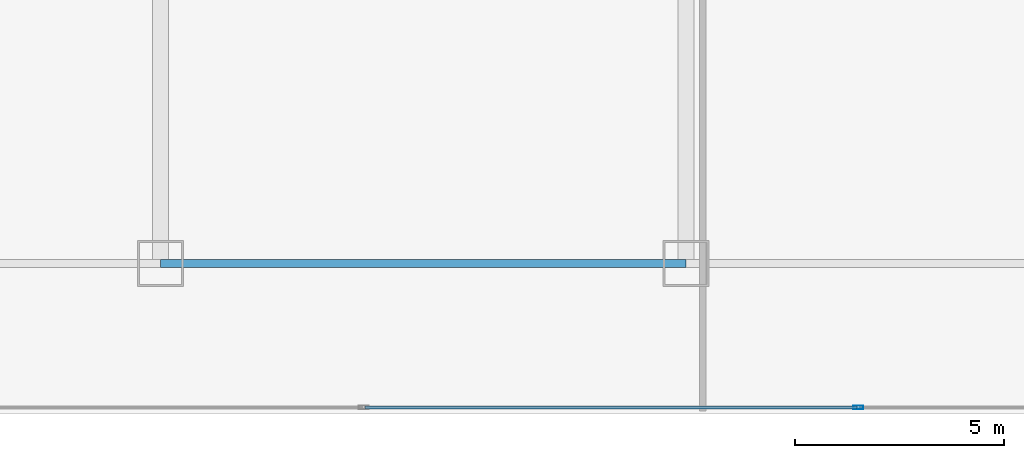
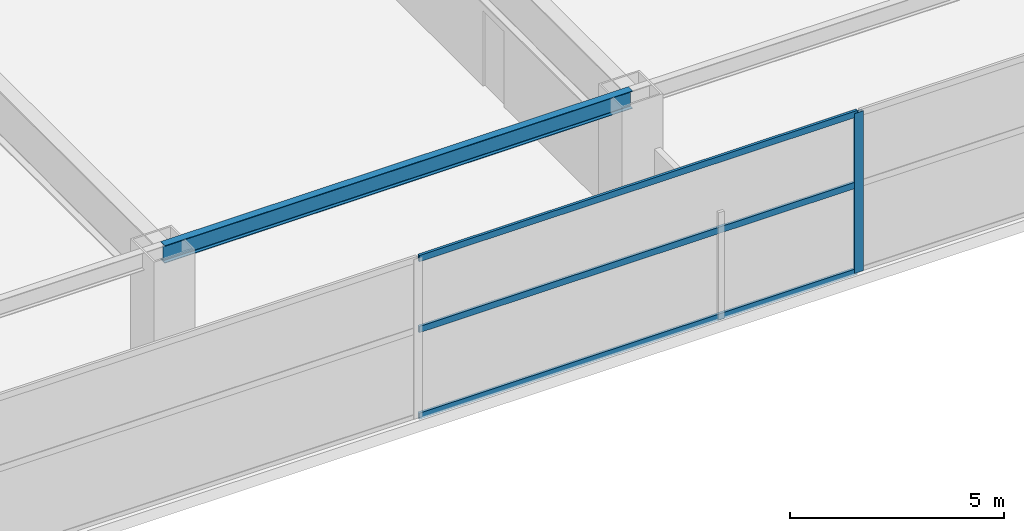
# One storey, part 12 of 30: 4 members, 1 beam, 1 element without a shape of its own.
"""IFC4 building model written with IfcOpenShell, lengths in metres."""

from ifc_helpers import new_model, si_unit, direction, frame, origin, origin_2d, place, context, subcontext, project, spatial, hollow_rectangle, i_section, extrude, material, layer, layer_set, material_profile, profile_set, type_object, element, aggregate, save


model = new_model("IFC4")

# Units and contexts
model_context = context("Model", 3, precision=1e-05, world=origin(), true_north=direction((0.0, 1.0)))
body_context = subcontext(model_context, "Body", "Model", "MODEL_VIEW")
ifc_project = project(units=[si_unit("LENGTHUNIT", "METRE"), si_unit("AREAUNIT", "SQUARE_METRE"), si_unit("VOLUMEUNIT", "CUBIC_METRE"), si_unit("PLANEANGLEUNIT", "RADIAN"), si_unit("MASSUNIT", "GRAM", prefix="KILO")], contexts=[model_context])

# Site, building, storey
site_placement = place(None, origin())
site = spatial("IfcSite", under=ifc_project, at=site_placement, CompositionType="ELEMENT")
building_placement = place(site_placement, origin())
building = spatial("IfcBuilding", under=site, at=building_placement, Name="Calvorn Quay Hotel", CompositionType="ELEMENT")
storey_placement = place(building_placement, frame((0.0, 0.0, 17.0)))
storey = spatial("IfcBuildingStorey", under=building, at=storey_placement, Name="L03", CompositionType="ELEMENT", Elevation=17.0)

# Beam
ifc_material_1 = material(Name="Steel Q355B", Category="steel")
ifc_material_profile_1 = material_profile(ifc_material_1, i_section(OverallWidth=0.199951171875, OverallDepth=0.5, WebThickness=0.010009765625, FlangeThickness=0.01611328125, FilletRadius=0.01611328125, at=origin_2d()), Name="HN500x200x10x16")
ifc_profile_set_1 = profile_set([ifc_material_profile_1], Name="Steel Q355B")
beam_type = type_object("IfcBeamType", Name="BM-SPANDREL-Z1", PredefinedType="SPANDREL", material=ifc_profile_set_1)
beam_placement = place(storey_placement, frame((45.0, 3.60009765625, 4.300048828125), z_axis=(1.0, 0.0, 0.0), x_axis=(0.0, 1.0, 0.0)))
element("IfcBeam", 1, at=beam_placement, inside=storey, type_object=beam_type, Name="Beam BSP-L03-S5", PredefinedType="SPANDREL", context=body_context, shape_type="SweptSolid", body=[
    extrude(i_section(OverallWidth=0.199951171875, OverallDepth=0.5, WebThickness=0.010009765625, FlangeThickness=0.01611328125, FilletRadius=0.01611328125, at=origin_2d()), origin(), (0.0, 0.0, 1.0), 12.60009765625),
])

# Curtain wall, members
ifc_material_2 = material(Name="Pale Anodised Aluminium and Low-E Glass", Category="aluminium")
ifc_layer = layer(ifc_material_2, 0.219970703125)
ifc_layer_set = layer_set([ifc_layer], Name="CW-SYS-POD")
curtain_wall_type = type_object("IfcCurtainWallType", Name="CW-SYS-POD", PredefinedType="NOTDEFINED", material=ifc_layer_set)
curtain_wall_placement = place(storey_placement, origin())
curtain_wall = element("IfcCurtainWall", 2, at=curtain_wall_placement, inside=storey, type_object=curtain_wall_type, Name="Podium Curtain Wall L03-S1", PredefinedType="NOTDEFINED")
ifc_material_3 = material(Name="Pale Anodised Aluminium 6063-T6", Category="aluminium")
ifc_material_profile_2 = material_profile(ifc_material_3, hollow_rectangle(XDim=0.080078125, YDim=0.239990234375, WallThickness=0.0048828125, at=origin_2d()), Name="ALU-M240x80x5")
ifc_profile_set_2 = profile_set([ifc_material_profile_2], Name="Pale Anodised Aluminium 6063-T6")
member_type_1 = type_object("IfcMemberType", Name="CW-SYS-POD-MUL", PredefinedType="MULLION", material=ifc_profile_set_2)
member_1_placement = place(storey_placement, frame((61.7333984375, 0.14990234375, 0.0), z_axis=(0.0, 0.0, 1.0), x_axis=(0.0, 1.0, 0.0)))
member_1 = element("IfcMember", 3, at=member_1_placement, type_object=member_type_1, Name="CW-L03-S1 mullion 6", PredefinedType="MULLION", context=body_context, shape_type="SweptSolid", body=[
    extrude(hollow_rectangle(XDim=0.080078125, YDim=0.239990234375, WallThickness=0.0048828125, at=origin_2d()), origin(), (0.0, 0.0, 1.0), 4.550048828125),
])
ifc_material_4 = material(Name="Pale Anodised Aluminium 6063-T6", Category="aluminium")
ifc_material_profile_3 = material_profile(ifc_material_4, hollow_rectangle(XDim=0.070068359375, YDim=0.179931640625, WallThickness=0.00390625, at=origin_2d()), Name="ALU-T180x70x4")
ifc_profile_set_3 = profile_set([ifc_material_profile_3], Name="Pale Anodised Aluminium 6063-T6")
member_type_2 = type_object("IfcMemberType", Name="CW-SYS-POD-TRN", PredefinedType="USERDEFINED", material=ifc_profile_set_3)
member_2_placement = place(storey_placement, frame((49.896728515625, 0.14990234375, 0.030029296875), z_axis=(1.0, 0.0, 0.0), x_axis=(0.0, 1.0, 0.0)))
member_2 = element("IfcMember", 4, at=member_2_placement, type_object=member_type_2, Name="CW-L03-S1 transom 5.1", ObjectType="TRANSOM", PredefinedType="USERDEFINED", context=body_context, shape_type="SweptSolid", body=[
    extrude(hollow_rectangle(XDim=0.070068359375, YDim=0.179931640625, WallThickness=0.00390625, at=origin_2d()), origin(), (0.0, 0.0, 1.0), 11.806640625),
])
member_3_placement = place(storey_placement, frame((49.896728515625, 0.14990234375, 2.5), z_axis=(1.0, 0.0, 0.0), x_axis=(0.0, 1.0, 0.0)))
member_3 = element("IfcMember", 5, at=member_3_placement, type_object=member_type_2, Name="CW-L03-S1 transom 5.2", ObjectType="TRANSOM", PredefinedType="USERDEFINED", context=body_context, shape_type="SweptSolid", body=[
    extrude(hollow_rectangle(XDim=0.070068359375, YDim=0.179931640625, WallThickness=0.00390625, at=origin_2d()), origin(), (0.0, 0.0, 1.0), 11.806640625),
])
member_4_placement = place(storey_placement, frame((49.896728515625, 0.14990234375, 4.52001953125), z_axis=(1.0, 0.0, 0.0), x_axis=(0.0, 1.0, 0.0)))
member_4 = element("IfcMember", 6, at=member_4_placement, type_object=member_type_2, Name="CW-L03-S1 transom 5.3", ObjectType="TRANSOM", PredefinedType="USERDEFINED", context=body_context, shape_type="SweptSolid", body=[
    extrude(hollow_rectangle(XDim=0.070068359375, YDim=0.179931640625, WallThickness=0.00390625, at=origin_2d()), origin(), (0.0, 0.0, 1.0), 11.806640625),
])
aggregate(curtain_wall, [member_1, member_2, member_3, member_4])

save(model, "model.ifc")
